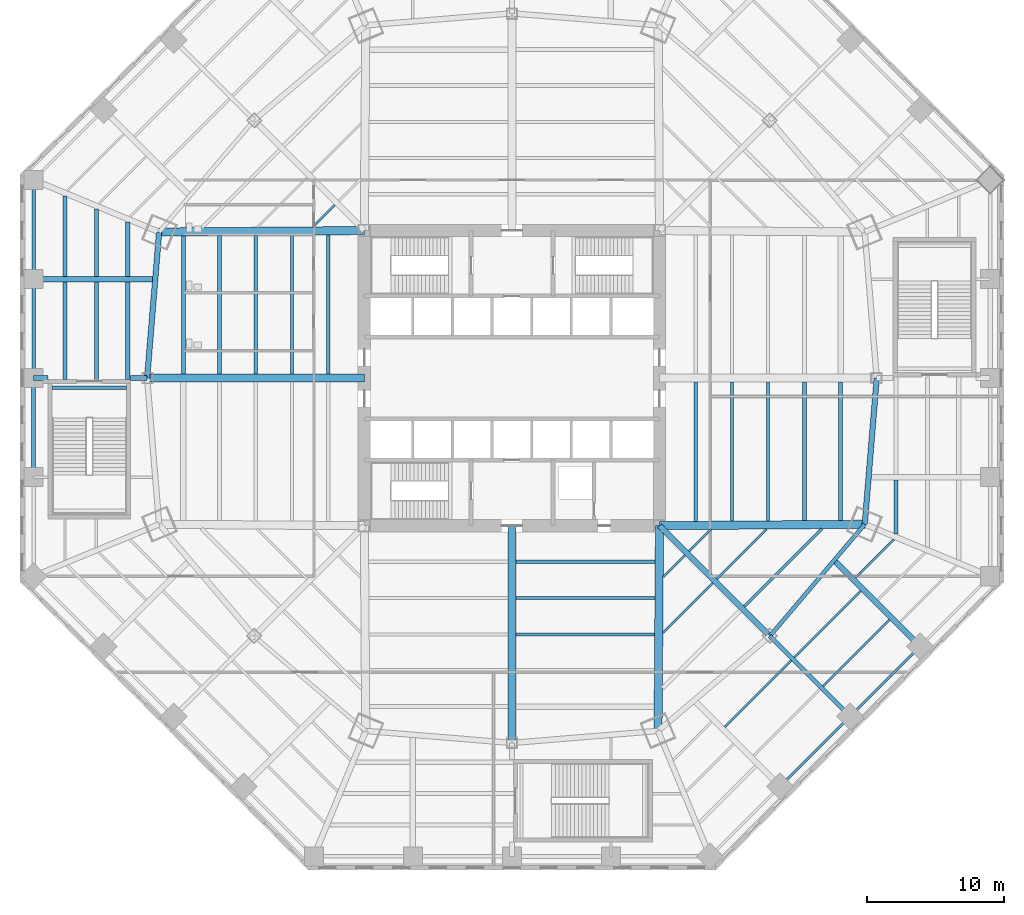
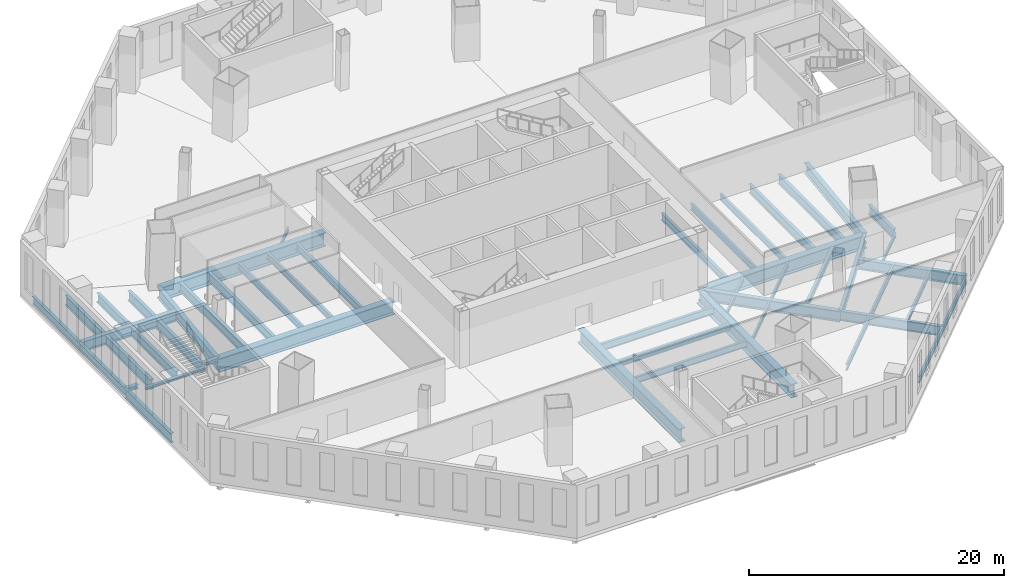
# One storey, part 3 of 18: 48 beams, 2 members.
"""IFC4 building model written with IfcOpenShell, lengths in metres."""

from ifc_helpers import new_model, si_unit, direction, frame, origin, origin_2d, place, context, subcontext, project, spatial, i_section, extrude, source, transform, mapped, material, material_profile, profile_set, type_object, type_shapes, element, save


model = new_model("IFC4")

# Units and contexts
model_context = context("Model", 3, precision=1e-05, world=origin(), true_north=direction((0.0, 1.0)))
body_context = subcontext(model_context, "Body", "Model", "MODEL_VIEW")
ifc_project = project(units=[si_unit("LENGTHUNIT", "METRE"), si_unit("AREAUNIT", "SQUARE_METRE"), si_unit("VOLUMEUNIT", "CUBIC_METRE"), si_unit("PLANEANGLEUNIT", "RADIAN"), si_unit("MASSUNIT", "GRAM", prefix="KILO")], contexts=[model_context])

# Site, building, storey
site_placement = place(None, origin())
site = spatial("IfcSite", under=ifc_project, at=site_placement, CompositionType="ELEMENT")
building_placement = place(site_placement, origin())
building = spatial("IfcBuilding", under=site, at=building_placement, Name="Mashrafa Tower", CompositionType="ELEMENT")
storey_placement = place(building_placement, frame((0.0, 0.0, 18.60009765625)))
storey = spatial("IfcBuildingStorey", under=building, at=storey_placement, Name="L03", CompositionType="ELEMENT", Elevation=18.60009765625)

# Beams
ifc_material_1 = material(Name="Steel ASTM A572 Gr 50", Category="steel")
ifc_material_profile_1 = material_profile(ifc_material_1, i_section(OverallWidth=0.60009765625, OverallDepth=1.300048828125, WebThickness=0.028076171875, FlangeThickness=0.06494140625, at=origin_2d()), Name="H1300X600X28X65")
ifc_profile_set_1 = profile_set([ifc_material_profile_1], Name="Steel ASTM A572 Gr 50")
beam_type_1 = type_object("IfcBeamType", Name="Beam H1300X600X28X65", PredefinedType="BEAM", material=ifc_profile_set_1)
beam_1_placement = place(storey_placement, frame((-10.800048828125, 0.0, -0.9501953125), z_axis=(-1.0, 0.0, 0.0), x_axis=(0.0, -1.0, 0.0)))
element("IfcBeam", 1, at=beam_1_placement, inside=storey, type_object=beam_type_1, Name="Radial girder L03 216", PredefinedType="BEAM", context=body_context, shape_type="SweptSolid", body=[
    extrude(i_section(OverallWidth=0.60009765625, OverallDepth=1.300048828125, WebThickness=0.028076171875, FlangeThickness=0.06494140625, at=origin_2d()), origin(), (0.0, 0.0, 1.0), 15.89697265625),
])
beam_2_placement = place(storey_placement, frame((-10.800048828125, 10.800048828125, -0.9501953125), z_axis=(-0.999975343516, -0.00702227593, 0.0), x_axis=(0.00702227593, -0.999975343516, 0.0)))
element("IfcBeam", 2, at=beam_2_placement, inside=storey, type_object=beam_type_1, Name="Radial girder L03 217", PredefinedType="BEAM", context=body_context, shape_type="SweptSolid", body=[
    extrude(i_section(OverallWidth=0.60009765625, OverallDepth=1.300048828125, WebThickness=0.028076171875, FlangeThickness=0.06494140625, at=origin_2d()), origin(), (0.0, 0.0, 1.0), 15.019287109375),
])
beam_3_placement = place(storey_placement, frame((0.0, -10.800048828125, -0.9501953125), z_axis=(0.0, -1.0, 0.0), x_axis=(1.0, 0.0, 0.0)))
element("IfcBeam", 3, at=beam_3_placement, inside=storey, type_object=beam_type_1, Name="Radial girder L03 220", PredefinedType="BEAM", context=body_context, shape_type="SweptSolid", body=[
    extrude(i_section(OverallWidth=0.60009765625, OverallDepth=1.300048828125, WebThickness=0.028076171875, FlangeThickness=0.06494140625, at=origin_2d()), origin(), (0.0, 0.0, 1.0), 15.89697265625),
])
for number, where, z_axis, x_axis, name in (
    (4, (10.800048828125, -10.800048828125, -0.9501953125), (-0.00702227593, -0.999975343516, 0.0), (0.999975343516, -0.00702227593, 0.0), "Radial girder L03 222"),
    (5, (10.800048828125, -10.800048828125, -0.9501953125), (0.999975343516, 0.00702227593, 0.0), (-0.00702227593, 0.999975343516, 0.0), "Radial girder L03 224"),
):
    element("IfcBeam", number, at=place(storey_placement, frame(where, z_axis=z_axis, x_axis=x_axis)), inside=storey, type_object=beam_type_1, Name=name, PredefinedType="BEAM", context=body_context, shape_type="SweptSolid", body=[
        extrude(i_section(OverallWidth=0.60009765625, OverallDepth=1.300048828125, WebThickness=0.028076171875, FlangeThickness=0.06494140625, at=origin_2d()), origin(), (0.0, 0.0, 1.0), 15.019287109375),
    ])
ifc_material_2 = material(Name="Steel ASTM A992", Category="steel")
ifc_material_profile_2 = material_profile(ifc_material_2, i_section(OverallWidth=0.164794921875, OverallDepth=0.309814453125, WebThickness=0.005859375, FlangeThickness=0.009765625, FilletRadius=0.007568359375, at=origin_2d()), Name="W12X26")
ifc_profile_set_2 = profile_set([ifc_material_profile_2], Name="Steel ASTM A992")
beam_type_2 = type_object("IfcBeamType", Name="Beam W12X26", PredefinedType="BEAM", material=ifc_profile_set_2)
for number, where, z_axis, x_axis, name in (
    (6, (-14.565185546875, 11.073486328125, -0.455078125), (0.707052871471, 0.707160686792, 0.0), (-0.707160686792, 0.707052871471, 0.0), "Floor beam L03 034"),
    (7, (12.6748046875, -12.964111328125, -0.455078125), (-0.707160686792, -0.707052871471, 0.0), (0.707052871471, -0.707160686792, 0.0), "Floor beam L03 082"),
    (8, (14.565185546875, -11.073486328125, -0.455078125), (-0.707052871471, -0.707160686792, 0.0), (0.707160686792, -0.707052871471, 0.0), "Floor beam L03 091"),
):
    element("IfcBeam", number, at=place(storey_placement, frame(where, z_axis=z_axis, x_axis=x_axis)), inside=storey, type_object=beam_type_2, Name=name, PredefinedType="BEAM", context=body_context, shape_type="SweptSolid", body=[
        extrude(i_section(OverallWidth=0.164794921875, OverallDepth=0.309814453125, WebThickness=0.005859375, FlangeThickness=0.009765625, FilletRadius=0.007568359375, at=origin_2d()), origin(), (0.0, 0.0, 1.0), 2.264404296875),
    ])
beam_4_placement = place(storey_placement, frame((27.95361328125, -11.8056640625, -0.455078125), z_axis=(-0.707106781187, -0.707106781187, 0.0), x_axis=(0.707106781187, -0.707106781187, 0.0)))
element("IfcBeam", 9, at=beam_4_placement, inside=storey, type_object=beam_type_2, Name="Floor beam L03 116", PredefinedType="BEAM", context=body_context, shape_type="SweptSolid", body=[
    extrude(i_section(OverallWidth=0.164794921875, OverallDepth=0.309814453125, WebThickness=0.005859375, FlangeThickness=0.009765625, FilletRadius=0.007568359375, at=origin_2d()), origin(), (0.0, 0.0, 1.0), 3.96875),
])
ifc_material_3 = material(Name="Steel ASTM A992", Category="steel")
ifc_material_profile_3 = material_profile(ifc_material_3, i_section(OverallWidth=0.15234375, OverallDepth=0.449462890625, WebThickness=0.007568359375, FlangeThickness=0.0107421875, FilletRadius=0.01025390625, at=origin_2d()), Name="W18X35")
ifc_profile_set_3 = profile_set([ifc_material_profile_3], Name="Steel ASTM A992")
beam_type_3 = type_object("IfcBeamType", Name="Beam W18X35", PredefinedType="BEAM", material=ifc_profile_set_3)
for number, where, z_axis, x_axis, name in (
    (10, (14.6943359375, -14.9833984375, -0.52490234375), (-0.707106781187, -0.707106781187, 0.0), (0.707106781187, -0.707106781187, 0.0), "Floor beam L03 089"),
    (11, (18.6328125, -11.044921875, -0.52490234375), (-0.707106781187, -0.707106781187, 0.0), (0.707106781187, -0.707106781187, 0.0), "Floor beam L03 102"),
):
    element("IfcBeam", number, at=place(storey_placement, frame(where, z_axis=z_axis, x_axis=x_axis)), inside=storey, type_object=beam_type_3, Name=name, PredefinedType="BEAM", context=body_context, shape_type="SweptSolid", body=[
        extrude(i_section(OverallWidth=0.15234375, OverallDepth=0.449462890625, WebThickness=0.007568359375, FlangeThickness=0.0107421875, FilletRadius=0.01025390625, at=origin_2d()), origin(), (0.0, 0.0, 1.0), 5.1611328125),
    ])
ifc_material_4 = material(Name="Steel ASTM A992", Category="steel")
ifc_material_profile_4 = material_profile(ifc_material_4, i_section(OverallWidth=0.1650390625, OverallDepth=0.52587890625, WebThickness=0.0087890625, FlangeThickness=0.011474609375, FilletRadius=0.0126953125, at=origin_2d()), Name="W21X44")
ifc_profile_set_4 = profile_set([ifc_material_profile_4], Name="Steel ASTM A992")
beam_type_4 = type_object("IfcBeamType", Name="Beam W21X44", PredefinedType="BEAM", material=ifc_profile_set_4)
beam_5_placement = place(storey_placement, frame((27.63525390625, -17.667724609375, -0.56298828125), z_axis=(-0.707124486521, -0.707089075409, 0.0), x_axis=(0.707089075409, -0.707124486521, 0.0)))
element("IfcBeam", 12, at=beam_5_placement, inside=storey, type_object=beam_type_4, Name="Floor beam L03 115", PredefinedType="BEAM", context=body_context, shape_type="SweptSolid", body=[
    extrude(i_section(OverallWidth=0.1650390625, OverallDepth=0.52587890625, WebThickness=0.0087890625, FlangeThickness=0.011474609375, FilletRadius=0.0126953125, at=origin_2d()), origin(), (0.0, 0.0, 1.0), 6.89453125),
])
ifc_material_5 = material(Name="Steel ASTM A992", Category="steel")
ifc_material_profile_5 = material_profile(ifc_material_5, i_section(OverallWidth=0.177978515625, OverallDepth=0.599365234375, WebThickness=0.010009765625, FlangeThickness=0.012939453125, FilletRadius=0.012939453125, at=origin_2d()), Name="W24X55")
ifc_profile_set_5 = profile_set([ifc_material_profile_5], Name="Steel ASTM A992")
beam_type_5 = type_object("IfcBeamType", Name="Beam W24X55", PredefinedType="BEAM", material=ifc_profile_set_5)
for number, where, z_axis, x_axis, name in (
    (13, (20.4453125, -20.662841796875, -0.599853515625), (-0.707106781187, -0.707106781187, 0.0), (0.707106781187, -0.707106781187, 0.0), "Floor beam L03 103"),
    (14, (25.537841796875, -15.5703125, -0.599853515625), (-0.707106781187, -0.707106781187, 0.0), (0.707106781187, -0.707106781187, 0.0), "Floor beam L03 113"),
):
    element("IfcBeam", number, at=place(storey_placement, frame(where, z_axis=z_axis, x_axis=x_axis)), inside=storey, type_object=beam_type_5, Name=name, PredefinedType="BEAM", context=body_context, shape_type="SweptSolid", body=[
        extrude(i_section(OverallWidth=0.177978515625, OverallDepth=0.599365234375, WebThickness=0.010009765625, FlangeThickness=0.012939453125, FilletRadius=0.012939453125, at=origin_2d()), origin(), (0.0, 0.0, 1.0), 6.894287109375),
    ])
for number, where, z_axis, x_axis, name in (
    (15, (19.623046875, -29.87451171875, -0.599853515625), (0.707106781187, 0.707106781187, 0.0), (-0.707106781187, 0.707106781187, 0.0), "Podium edge beam L03 146"),
    (16, (24.748779296875, -24.748779296875, -0.599853515625), (0.707106781187, 0.707106781187, 0.0), (-0.707106781187, 0.707106781187, 0.0), "Podium edge beam L03 148"),
):
    element("IfcBeam", number, at=place(storey_placement, frame(where, z_axis=z_axis, x_axis=x_axis)), inside=storey, type_object=beam_type_5, Name=name, PredefinedType="BEAM", context=body_context, shape_type="SweptSolid", body=[
        extrude(i_section(OverallWidth=0.177978515625, OverallDepth=0.599365234375, WebThickness=0.010009765625, FlangeThickness=0.012939453125, FilletRadius=0.012939453125, at=origin_2d()), origin(), (0.0, 0.0, 1.0), 7.248779296875),
    ])
ifc_material_6 = material(Name="Steel ASTM A992", Category="steel")
ifc_material_profile_6 = material_profile(ifc_material_6, i_section(OverallWidth=0.227783203125, OverallDepth=0.60205078125, WebThickness=0.010498046875, FlangeThickness=0.014892578125, FilletRadius=0.012939453125, at=origin_2d()), Name="W24X68")
ifc_profile_set_6 = profile_set([ifc_material_profile_6], Name="Steel ASTM A992")
beam_type_6 = type_object("IfcBeamType", Name="Beam W24X68", PredefinedType="BEAM", material=ifc_profile_set_6)
beam_6_placement = place(storey_placement, frame((-18.74853515625, 0.300048828125, -0.60107421875), z_axis=(0.0, 1.0, 0.0), x_axis=(-1.0, 0.0, 0.0)))
element("IfcBeam", 17, at=beam_6_placement, inside=storey, type_object=beam_type_6, Name="Floor beam L03 025", PredefinedType="BEAM", context=body_context, shape_type="SweptSolid", body=[
    extrude(i_section(OverallWidth=0.227783203125, OverallDepth=0.60205078125, WebThickness=0.010498046875, FlangeThickness=0.014892578125, FilletRadius=0.012939453125, at=origin_2d()), origin(), (0.0, 0.0, 1.0), 10.14404296875),
])
beam_7_placement = place(storey_placement, frame((-16.09912109375, 0.300048828125, -0.60107421875), z_axis=(0.0, 1.0, 0.0), x_axis=(-1.0, 0.0, 0.0)))
element("IfcBeam", 18, at=beam_7_placement, inside=storey, type_object=beam_type_6, Name="Floor beam L03 032", PredefinedType="BEAM", context=body_context, shape_type="SweptSolid", body=[
    extrude(i_section(OverallWidth=0.227783203125, OverallDepth=0.60205078125, WebThickness=0.010498046875, FlangeThickness=0.014892578125, FilletRadius=0.012939453125, at=origin_2d()), origin(), (0.0, 0.0, 1.0), 10.162841796875),
])
beam_8_placement = place(storey_placement, frame((10.444091796875, -18.74853515625, -0.60107421875), z_axis=(-1.0, 0.0, 0.0), x_axis=(0.0, -1.0, 0.0)))
element("IfcBeam", 19, at=beam_8_placement, inside=storey, type_object=beam_type_6, Name="Floor beam L03 075", PredefinedType="BEAM", context=body_context, shape_type="SweptSolid", body=[
    extrude(i_section(OverallWidth=0.227783203125, OverallDepth=0.60205078125, WebThickness=0.010498046875, FlangeThickness=0.014892578125, FilletRadius=0.012939453125, at=origin_2d()), origin(), (0.0, 0.0, 1.0), 10.14404296875),
])
for number, where, z_axis, x_axis, name in (
    (20, (10.462890625, -16.09912109375, -0.60107421875), (-1.0, 0.0, 0.0), (0.0, -1.0, 0.0), "Floor beam L03 076"),
    (21, (16.09912109375, -0.300048828125, -0.60107421875), (0.0, -1.0, 0.0), (1.0, 0.0, 0.0), "Floor beam L03 093"),
):
    element("IfcBeam", number, at=place(storey_placement, frame(where, z_axis=z_axis, x_axis=x_axis)), inside=storey, type_object=beam_type_6, Name=name, PredefinedType="BEAM", context=body_context, shape_type="SweptSolid", body=[
        extrude(i_section(OverallWidth=0.227783203125, OverallDepth=0.60205078125, WebThickness=0.010498046875, FlangeThickness=0.014892578125, FilletRadius=0.012939453125, at=origin_2d()), origin(), (0.0, 0.0, 1.0), 10.162841796875),
    ])
beam_9_placement = place(storey_placement, frame((18.74853515625, -0.300048828125, -0.60107421875), z_axis=(0.0, -1.0, 0.0), x_axis=(1.0, 0.0, 0.0)))
element("IfcBeam", 22, at=beam_9_placement, inside=storey, type_object=beam_type_6, Name="Floor beam L03 100", PredefinedType="BEAM", context=body_context, shape_type="SweptSolid", body=[
    extrude(i_section(OverallWidth=0.227783203125, OverallDepth=0.60205078125, WebThickness=0.010498046875, FlangeThickness=0.014892578125, FilletRadius=0.012939453125, at=origin_2d()), origin(), (0.0, 0.0, 1.0), 10.14404296875),
])
beam_10_placement = place(storey_placement, frame((22.7001953125, -11.016357421875, -0.60107421875), z_axis=(-0.707106781187, -0.707106781187, 0.0), x_axis=(0.707106781187, -0.707106781187, 0.0)))
element("IfcBeam", 23, at=beam_10_placement, inside=storey, type_object=beam_type_6, Name="Floor beam L03 109", PredefinedType="BEAM", context=body_context, shape_type="SweptSolid", body=[
    extrude(i_section(OverallWidth=0.227783203125, OverallDepth=0.60205078125, WebThickness=0.010498046875, FlangeThickness=0.014892578125, FilletRadius=0.012939453125, at=origin_2d()), origin(), (0.0, 0.0, 1.0), 8.05712890625),
])
ifc_material_7 = material(Name="Steel ASTM A992", Category="steel")
ifc_material_profile_7 = material_profile(ifc_material_7, i_section(OverallWidth=0.25390625, OverallDepth=0.67822265625, WebThickness=0.01171875, FlangeThickness=0.016357421875, FilletRadius=0.01513671875, at=origin_2d()), Name="W27X84")
ifc_profile_set_7 = profile_set([ifc_material_profile_7], Name="Steel ASTM A992")
beam_type_7 = type_object("IfcBeamType", Name="Beam W27X84", PredefinedType="BEAM", material=ifc_profile_set_7)
for number, where, z_axis, x_axis, name in (
    (24, (-13.449462890625, 0.300048828125, -0.63916015625), (0.0, 1.0, 0.0), (-1.0, 0.0, 0.0), "Floor beam L03 041"),
    (25, (10.4814453125, -13.449462890625, -0.63916015625), (-1.0, 0.0, 0.0), (0.0, -1.0, 0.0), "Floor beam L03 078"),
    (26, (13.449462890625, -0.300048828125, -0.63916015625), (0.0, -1.0, 0.0), (1.0, 0.0, 0.0), "Floor beam L03 084"),
):
    element("IfcBeam", number, at=place(storey_placement, frame(where, z_axis=z_axis, x_axis=x_axis)), inside=storey, type_object=beam_type_7, Name=name, PredefinedType="BEAM", context=body_context, shape_type="SweptSolid", body=[
        extrude(i_section(OverallWidth=0.25390625, OverallDepth=0.67822265625, WebThickness=0.01171875, FlangeThickness=0.016357421875, FilletRadius=0.01513671875, at=origin_2d()), origin(), (0.0, 0.0, 1.0), 10.181396484375),
    ])
ifc_material_8 = material(Name="Steel ASTM A992", Category="steel")
ifc_material_profile_8 = material_profile(ifc_material_8, i_section(OverallWidth=0.2666015625, OverallDepth=0.75439453125, WebThickness=0.01318359375, FlangeThickness=0.01708984375, FilletRadius=0.0166015625, at=origin_2d()), Name="W30X99")
ifc_profile_set_8 = profile_set([ifc_material_profile_8], Name="Steel ASTM A992")
beam_type_8 = type_object("IfcBeamType", Name="Beam W30X99", PredefinedType="BEAM", material=ifc_profile_set_8)
for number, where, z_axis, x_axis, name in (
    (27, (-35.0, 7.248779296875, -0.67724609375), (0.0, -1.0, 0.0), (1.0, 0.0, 0.0), "Podium edge beam L03 128"),
    (28, (-35.0, 14.49755859375, -0.67724609375), (0.0, -1.0, 0.0), (1.0, 0.0, 0.0), "Podium edge beam L03 129"),
):
    element("IfcBeam", number, at=place(storey_placement, frame(where, z_axis=z_axis, x_axis=x_axis)), inside=storey, type_object=beam_type_8, Name=name, PredefinedType="BEAM", context=body_context, shape_type="SweptSolid", body=[
        extrude(i_section(OverallWidth=0.2666015625, OverallDepth=0.75439453125, WebThickness=0.01318359375, FlangeThickness=0.01708984375, FilletRadius=0.0166015625, at=origin_2d()), origin(), (0.0, 0.0, 1.0), 7.248779296875),
    ])
ifc_material_9 = material(Name="Steel ASTM A992", Category="steel")
ifc_material_profile_9 = material_profile(ifc_material_9, i_section(OverallWidth=0.2919921875, OverallDepth=0.8408203125, WebThickness=0.0146484375, FlangeThickness=0.021728515625, FilletRadius=0.017333984375, at=origin_2d()), Name="W33X130")
ifc_profile_set_9 = profile_set([ifc_material_profile_9], Name="Steel ASTM A992")
beam_type_9 = type_object("IfcBeamType", Name="Beam W33X130", PredefinedType="BEAM", material=ifc_profile_set_9)
beam_11_placement = place(storey_placement, frame((18.877685546875, -18.877685546875, -0.720458984375), z_axis=(0.646864798225, 0.762604702856, 0.0), x_axis=(-0.762604702856, 0.646864798225, 0.0)))
element("IfcBeam", 29, at=beam_11_placement, inside=storey, type_object=beam_type_9, Name="Podium ring girder L03 208", PredefinedType="BEAM", context=body_context, shape_type="SweptSolid", body=[
    extrude(i_section(OverallWidth=0.2919921875, OverallDepth=0.8408203125, WebThickness=0.0146484375, FlangeThickness=0.021728515625, FilletRadius=0.017333984375, at=origin_2d()), origin(), (0.0, 0.0, 1.0), 10.73046875),
])
ifc_material_10 = material(Name="Steel ASTM A992", Category="steel")
ifc_material_profile_10 = material_profile(ifc_material_10, i_section(OverallWidth=0.2919921875, OverallDepth=0.845703125, WebThickness=0.015380859375, FlangeThickness=0.0244140625, FilletRadius=0.017333984375, at=origin_2d()), Name="W33X141")
ifc_profile_set_10 = profile_set([ifc_material_profile_10], Name="Steel ASTM A992")
beam_type_10 = type_object("IfcBeamType", Name="Beam W33X141", PredefinedType="BEAM", material=ifc_profile_set_10)
for number, where, z_axis, x_axis, name in (
    (30, (-21.39794921875, 0.300048828125, -0.722900390625), (0.0, 1.0, 0.0), (-1.0, 0.0, 0.0), "Floor beam L03 020"),
    (31, (21.39794921875, -0.300048828125, -0.722900390625), (0.0, -1.0, 0.0), (1.0, 0.0, 0.0), "Floor beam L03 105"),
):
    element("IfcBeam", number, at=place(storey_placement, frame(where, z_axis=z_axis, x_axis=x_axis)), inside=storey, type_object=beam_type_10, Name=name, PredefinedType="BEAM", context=body_context, shape_type="SweptSolid", body=[
        extrude(i_section(OverallWidth=0.2919921875, OverallDepth=0.845703125, WebThickness=0.015380859375, FlangeThickness=0.0244140625, FilletRadius=0.017333984375, at=origin_2d()), origin(), (0.0, 0.0, 1.0), 10.12548828125),
    ])
ifc_material_11 = material(Name="Steel ASTM A992", Category="steel")
ifc_material_profile_11 = material_profile(ifc_material_11, i_section(OverallWidth=0.2919921875, OverallDepth=0.8583984375, WebThickness=0.01708984375, FlangeThickness=0.031005859375, FilletRadius=0.017822265625, at=origin_2d()), Name="W33X169")
ifc_profile_set_11 = profile_set([ifc_material_profile_11], Name="Steel ASTM A992")
beam_type_11 = type_object("IfcBeamType", Name="Beam W33X169", PredefinedType="BEAM", material=ifc_profile_set_11)
beam_12_placement = place(storey_placement, frame((-30.409423828125, -0.10009765625, -0.729248046875), z_axis=(0.0, 1.0, 0.0), x_axis=(-1.0, 0.0, 0.0)))
element("IfcBeam", 32, at=beam_12_placement, inside=storey, type_object=beam_type_11, Name="Floor beam L03 005 part 1", PredefinedType="BEAM", context=body_context, shape_type="SweptSolid", body=[
    extrude(i_section(OverallWidth=0.2919921875, OverallDepth=0.8583984375, WebThickness=0.01708984375, FlangeThickness=0.031005859375, FilletRadius=0.017822265625, at=origin_2d()), origin(), (0.0, 0.0, 1.0), 7.148193359375),
])
beam_13_placement = place(storey_placement, frame((-30.409423828125, 7.449462890625, -0.729248046875), z_axis=(0.0, 1.0, 0.0), x_axis=(-1.0, 0.0, 0.0)))
element("IfcBeam", 33, at=beam_13_placement, inside=storey, type_object=beam_type_11, Name="Floor beam L03 005 part 2", PredefinedType="BEAM", context=body_context, shape_type="SweptSolid", body=[
    extrude(i_section(OverallWidth=0.2919921875, OverallDepth=0.8583984375, WebThickness=0.01708984375, FlangeThickness=0.031005859375, FilletRadius=0.017822265625, at=origin_2d()), origin(), (0.0, 0.0, 1.0), 4.919677734375),
])
for number, where, z_axis, x_axis, name in (
    (34, (-24.047607421875, 0.300048828125, -0.729248046875), (0.0, 1.0, 0.0), (-1.0, 0.0, 0.0), "Floor beam L03 015"),
    (35, (24.047607421875, -0.300048828125, -0.729248046875), (0.0, -1.0, 0.0), (1.0, 0.0, 0.0), "Floor beam L03 110"),
):
    element("IfcBeam", number, at=place(storey_placement, frame(where, z_axis=z_axis, x_axis=x_axis)), inside=storey, type_object=beam_type_11, Name=name, PredefinedType="BEAM", context=body_context, shape_type="SweptSolid", body=[
        extrude(i_section(OverallWidth=0.2919921875, OverallDepth=0.8583984375, WebThickness=0.01708984375, FlangeThickness=0.031005859375, FilletRadius=0.017822265625, at=origin_2d()), origin(), (0.0, 0.0, 1.0), 10.10693359375),
    ])
ifc_material_12 = material(Name="Steel ASTM A992", Category="steel")
ifc_material_profile_12 = material_profile(ifc_material_12, i_section(OverallWidth=0.3046875, OverallDepth=0.911865234375, WebThickness=0.015869140625, FlangeThickness=0.02392578125, FilletRadius=0.01904296875, at=origin_2d()), Name="W36X150")
ifc_profile_set_12 = profile_set([ifc_material_profile_12], Name="Steel ASTM A992")
beam_type_12 = type_object("IfcBeamType", Name="Beam W36X150", PredefinedType="BEAM", material=ifc_profile_set_12)
beam_14_placement = place(storey_placement, frame((-35.0, 0.0, -0.756103515625), z_axis=(0.0, -1.0, 0.0), x_axis=(1.0, 0.0, 0.0)))
element("IfcBeam", 36, at=beam_14_placement, inside=storey, type_object=beam_type_12, Name="Podium edge beam L03 127", PredefinedType="BEAM", context=body_context, shape_type="SweptSolid", body=[
    extrude(i_section(OverallWidth=0.3046875, OverallDepth=0.911865234375, WebThickness=0.015869140625, FlangeThickness=0.02392578125, FilletRadius=0.01904296875, at=origin_2d()), origin(), (0.0, 0.0, 1.0), 7.248779296875),
])
ifc_material_13 = material(Name="Steel ASTM A992", Category="steel")
ifc_material_profile_13 = material_profile(ifc_material_13, i_section(OverallWidth=0.307373046875, OverallDepth=0.927001953125, WebThickness=0.01953125, FlangeThickness=0.031982421875, FilletRadius=0.01904296875, at=origin_2d()), Name="W36X194")
ifc_profile_set_13 = profile_set([ifc_material_profile_13], Name="Steel ASTM A992")
beam_type_13 = type_object("IfcBeamType", Name="Beam W36X194", PredefinedType="BEAM", material=ifc_profile_set_13)
beam_15_placement = place(storey_placement, frame((-32.70458984375, -0.10009765625, -0.763671875), z_axis=(0.0, 1.0, 0.0), x_axis=(-1.0, 0.0, 0.0)))
element("IfcBeam", 37, at=beam_15_placement, inside=storey, type_object=beam_type_13, Name="Floor beam L03 002 part 1", PredefinedType="BEAM", context=body_context, shape_type="SweptSolid", body=[
    extrude(i_section(OverallWidth=0.307373046875, OverallDepth=0.927001953125, WebThickness=0.01953125, FlangeThickness=0.031982421875, FilletRadius=0.01904296875, at=origin_2d()), origin(), (0.0, 0.0, 1.0), 7.148193359375),
])
beam_16_placement = place(storey_placement, frame((-32.70458984375, 7.449462890625, -0.763671875), z_axis=(0.0, 1.0, 0.0), x_axis=(-1.0, 0.0, 0.0)))
element("IfcBeam", 38, at=beam_16_placement, inside=storey, type_object=beam_type_13, Name="Floor beam L03 002 part 2", PredefinedType="BEAM", context=body_context, shape_type="SweptSolid", body=[
    extrude(i_section(OverallWidth=0.307373046875, OverallDepth=0.927001953125, WebThickness=0.01953125, FlangeThickness=0.031982421875, FilletRadius=0.01904296875, at=origin_2d()), origin(), (0.0, 0.0, 1.0), 5.87060546875),
])
beam_17_placement = place(storey_placement, frame((-28.114013671875, -0.10009765625, -0.763671875), z_axis=(0.0, 1.0, 0.0), x_axis=(-1.0, 0.0, 0.0)))
element("IfcBeam", 39, at=beam_17_placement, inside=storey, type_object=beam_type_13, Name="Floor beam L03 008 part 1", PredefinedType="BEAM", context=body_context, shape_type="SweptSolid", body=[
    extrude(i_section(OverallWidth=0.307373046875, OverallDepth=0.927001953125, WebThickness=0.01953125, FlangeThickness=0.031982421875, FilletRadius=0.01904296875, at=origin_2d()), origin(), (0.0, 0.0, 1.0), 7.148193359375),
])
for number, where, z_axis, x_axis, name in (
    (40, (-28.114013671875, 7.449462890625, -0.763671875), (0.0, 1.0, 0.0), (-1.0, 0.0, 0.0), "Floor beam L03 008 part 2"),
    (41, (28.114013671875, -7.449462890625, -0.763671875), (0.0, -1.0, 0.0), (1.0, 0.0, 0.0), "Floor beam L03 117 part 2"),
):
    element("IfcBeam", number, at=place(storey_placement, frame(where, z_axis=z_axis, x_axis=x_axis)), inside=storey, type_object=beam_type_13, Name=name, PredefinedType="BEAM", context=body_context, shape_type="SweptSolid", body=[
        extrude(i_section(OverallWidth=0.307373046875, OverallDepth=0.927001953125, WebThickness=0.01953125, FlangeThickness=0.031982421875, FilletRadius=0.01904296875, at=origin_2d()), origin(), (0.0, 0.0, 1.0), 3.968994140625),
    ])
beam_18_placement = place(storey_placement, frame((18.877685546875, -18.877685546875, -0.763671875), z_axis=(0.707106781187, -0.707106781187, 0.0), x_axis=(0.707106781187, 0.707106781187, 0.0)))
element("IfcBeam", 42, at=beam_18_placement, inside=storey, type_object=beam_type_13, Name="Podium radial beam L03 186", PredefinedType="BEAM", context=body_context, shape_type="SweptSolid", body=[
    extrude(i_section(OverallWidth=0.307373046875, OverallDepth=0.927001953125, WebThickness=0.01953125, FlangeThickness=0.031982421875, FilletRadius=0.01904296875, at=origin_2d()), origin(), (0.0, 0.0, 1.0), 8.302978515625),
])
ifc_material_14 = material(Name="Steel ASTM A992", Category="steel")
ifc_material_profile_14 = material_profile(ifc_material_14, i_section(OverallWidth=0.4013671875, OverallDepth=0.98291015625, WebThickness=0.0166015625, FlangeThickness=0.027099609375, FilletRadius=0.0126953125, at=origin_2d()), Name="W40X199")
ifc_profile_set_14 = profile_set([ifc_material_profile_14], Name="Steel ASTM A992")
beam_type_14 = type_object("IfcBeamType", Name="Beam W40X199", PredefinedType="BEAM", material=ifc_profile_set_14)
beam_19_placement = place(storey_placement, frame((-26.302978515625, 7.248779296875, -0.79150390625), z_axis=(-1.0, 0.0, 0.0), x_axis=(0.0, -1.0, 0.0)))
element("IfcBeam", 43, at=beam_19_placement, inside=storey, type_object=beam_type_14, Name="Podium radial beam L03 161", PredefinedType="BEAM", context=body_context, shape_type="SweptSolid", body=[
    extrude(i_section(OverallWidth=0.4013671875, OverallDepth=0.98291015625, WebThickness=0.0166015625, FlangeThickness=0.027099609375, FilletRadius=0.0126953125, at=origin_2d()), origin(), (0.0, 0.0, 1.0), 8.697021484375),
])
beam_20_placement = place(storey_placement, frame((23.68603515625, -13.434814453125, -0.79150390625), z_axis=(0.707120729304, -0.707092832794, 0.0), x_axis=(0.707092832794, 0.707120729304, 0.0)))
element("IfcBeam", 44, at=beam_20_placement, inside=storey, type_object=beam_type_14, Name="Podium radial beam L03 188", PredefinedType="BEAM", context=body_context, shape_type="SweptSolid", body=[
    extrude(i_section(OverallWidth=0.4013671875, OverallDepth=0.98291015625, WebThickness=0.0166015625, FlangeThickness=0.027099609375, FilletRadius=0.0126953125, at=origin_2d()), origin(), (0.0, 0.0, 1.0), 8.751708984375),
])
ifc_material_15 = material(Name="Steel ASTM A992", Category="steel")
ifc_material_profile_15 = material_profile(ifc_material_15, i_section(OverallWidth=0.4013671875, OverallDepth=1.010986328125, WebThickness=0.023681640625, FlangeThickness=0.0419921875, FilletRadius=0.02001953125, at=origin_2d()), Name="W40X297")
ifc_profile_set_15 = profile_set([ifc_material_profile_15], Name="Steel ASTM A992")
beam_type_15 = type_object("IfcBeamType", Name="Beam W40X297", PredefinedType="BEAM", material=ifc_profile_set_15)
for number, where, z_axis, x_axis, name in (
    (45, (-25.81884765625, 10.694580078125, -0.8056640625), (-0.081838471542, -0.996645606309, 0.0), (0.996645606309, -0.081838471542, 0.0), "Podium ring girder L03 199"),
    (46, (25.81884765625, -10.694580078125, -0.8056640625), (0.081838471542, 0.996645606309, 0.0), (-0.996645606309, 0.081838471542, 0.0), "Podium ring girder L03 210"),
):
    element("IfcBeam", number, at=place(storey_placement, frame(where, z_axis=z_axis, x_axis=x_axis)), inside=storey, type_object=beam_type_15, Name=name, PredefinedType="BEAM", context=body_context, shape_type="SweptSolid", body=[
        extrude(i_section(OverallWidth=0.4013671875, OverallDepth=1.010986328125, WebThickness=0.023681640625, FlangeThickness=0.0419921875, FilletRadius=0.02001953125, at=origin_2d()), origin(), (0.0, 0.0, 1.0), 10.73046875),
    ])
ifc_material_16 = material(Name="Steel ASTM A992", Category="steel")
ifc_material_profile_16 = material_profile(ifc_material_16, i_section(OverallWidth=0.408935546875, OverallDepth=1.04150390625, WebThickness=0.031005859375, FlangeThickness=0.055908203125, FilletRadius=0.020263671875, at=origin_2d()), Name="W40X397")
ifc_profile_set_16 = profile_set([ifc_material_profile_16], Name="Steel ASTM A992")
beam_type_16 = type_object("IfcBeamType", Name="Beam W40X397", PredefinedType="BEAM", material=ifc_profile_set_16)
beam_21_placement = place(storey_placement, frame((10.800048828125, -10.800048828125, -0.82080078125), z_axis=(0.707106781187, -0.707106781187, 0.0), x_axis=(0.707106781187, 0.707106781187, 0.0)))
element("IfcBeam", 47, at=beam_21_placement, inside=storey, type_object=beam_type_16, Name="Radial girder L03 223", PredefinedType="BEAM", context=body_context, shape_type="SweptSolid", body=[
    extrude(i_section(OverallWidth=0.408935546875, OverallDepth=1.04150390625, WebThickness=0.031005859375, FlangeThickness=0.055908203125, FilletRadius=0.020263671875, at=origin_2d()), origin(), (0.0, 0.0, 1.0), 11.423583984375),
])
ifc_material_17 = material(Name="Steel ASTM A992", Category="steel")
ifc_material_profile_17 = material_profile(ifc_material_17, i_section(OverallWidth=0.25390625, OverallDepth=0.25390625, WebThickness=0.008544921875, FlangeThickness=0.01416015625, FilletRadius=0.010009765625, at=origin_2d()), Name="W10X49")
ifc_profile_set_17 = profile_set([ifc_material_profile_17], Name="Steel ASTM A992")
beam_type_17 = type_object("IfcBeamType", Name="Hoistway beam W10X49", PredefinedType="BEAM", material=ifc_profile_set_17)
beam_22_placement = place(storey_placement, frame((-33.64990234375, -0.699951171875, -0.427001953125), z_axis=(1.0, 0.0, 0.0), x_axis=(0.0, 1.0, 0.0)))
element("IfcBeam", 48, at=beam_22_placement, inside=storey, type_object=beam_type_17, Name="Stair P3 landing beam L03", PredefinedType="BEAM", context=body_context, shape_type="SweptSolid", body=[
    extrude(i_section(OverallWidth=0.25390625, OverallDepth=0.25390625, WebThickness=0.008544921875, FlangeThickness=0.01416015625, FilletRadius=0.010009765625, at=origin_2d()), origin(), (0.0, 0.0, 1.0), 5.449951171875),
])

# Members
ifc_material_18 = material(Name="Steel ASTM A992", Category="steel")
ifc_material_profile_18 = material_profile(ifc_material_18, i_section(OverallWidth=0.368408203125, OverallDepth=0.355712890625, WebThickness=0.01123046875, FlangeThickness=0.01806640625, FilletRadius=0.01513671875, at=origin_2d()), Name="W14X90")
ifc_profile_set_18 = profile_set([ifc_material_profile_18], Name="Steel ASTM A992")
member_type = type_object("IfcMemberType", Name="Tie strut W14X90", PredefinedType="STRUT", material=ifc_profile_set_18)
shared_shape_1 = source(origin(), body_context, "Body", "SweptSolid", [
    extrude(i_section(OverallWidth=0.368408203125, OverallDepth=0.355712890625, WebThickness=0.01123046875, FlangeThickness=0.01806640625, FilletRadius=0.01513671875, at=origin_2d()), origin(), (0.0, 0.0, 1.0), 1.050048828125),
])
member_1_placement = place(storey_placement, frame((-33.949951171875, 0.0, -0.477783203125), z_axis=(-1.0, 0.0, 0.0), x_axis=(0.0, -1.0, 0.0)))
element("IfcMember", 49, at=member_1_placement, inside=storey, type_object=member_type, Name="Tie strut L03 158", PredefinedType="STRUT", context=body_context, shape_type="MappedRepresentation", body=[
    mapped(shared_shape_1, transform((0.0, 0.0, 0.0))),
])
shared_shape_2 = source(origin(), body_context, "Body", "SweptSolid", [
    extrude(i_section(OverallWidth=0.368408203125, OverallDepth=0.355712890625, WebThickness=0.01123046875, FlangeThickness=0.01806640625, FilletRadius=0.01513671875, at=origin_2d()), origin(), (0.0, 0.0, 1.0), 1.202880859375),
])
type_shapes(member_type, [shared_shape_1, shared_shape_2])
member_2_placement = place(storey_placement, frame((-26.697021484375, 0.0, -0.477783203125), z_axis=(-1.0, 0.0, 0.0), x_axis=(0.0, -1.0, 0.0)))
element("IfcMember", 50, at=member_2_placement, inside=storey, type_object=member_type, Name="Tie strut L03 159", PredefinedType="STRUT", context=body_context, shape_type="MappedRepresentation", body=[
    mapped(shared_shape_2, transform((0.0, 0.0, 0.0))),
])

save(model, "model.ifc")
